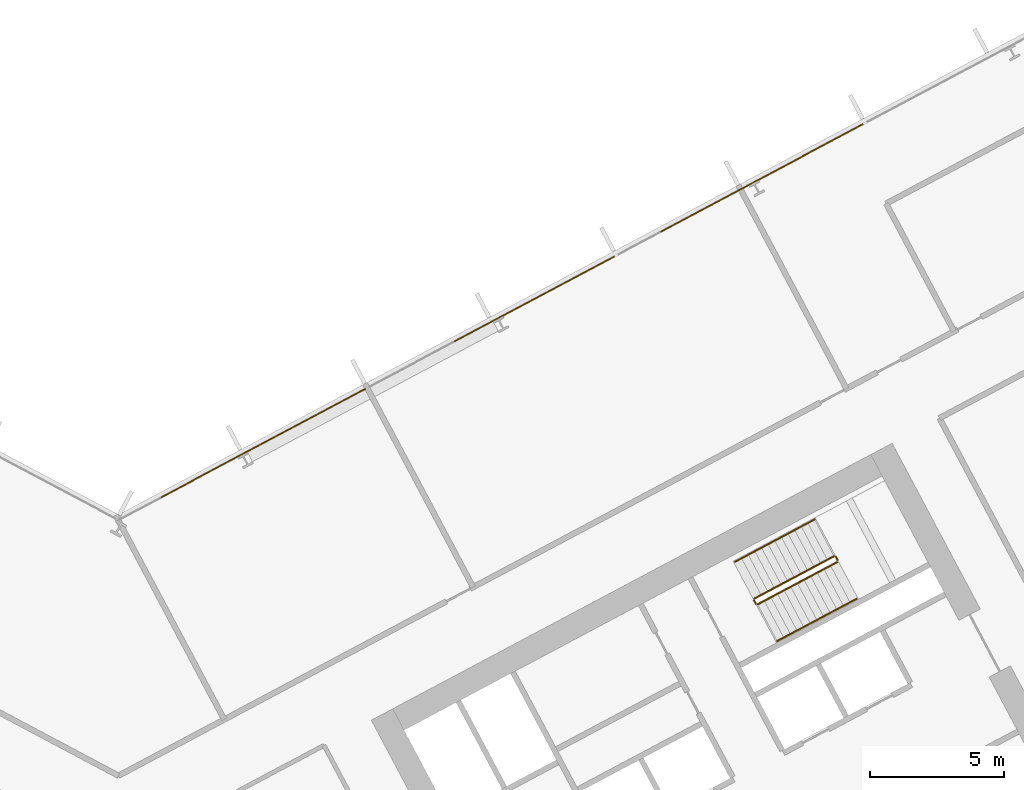
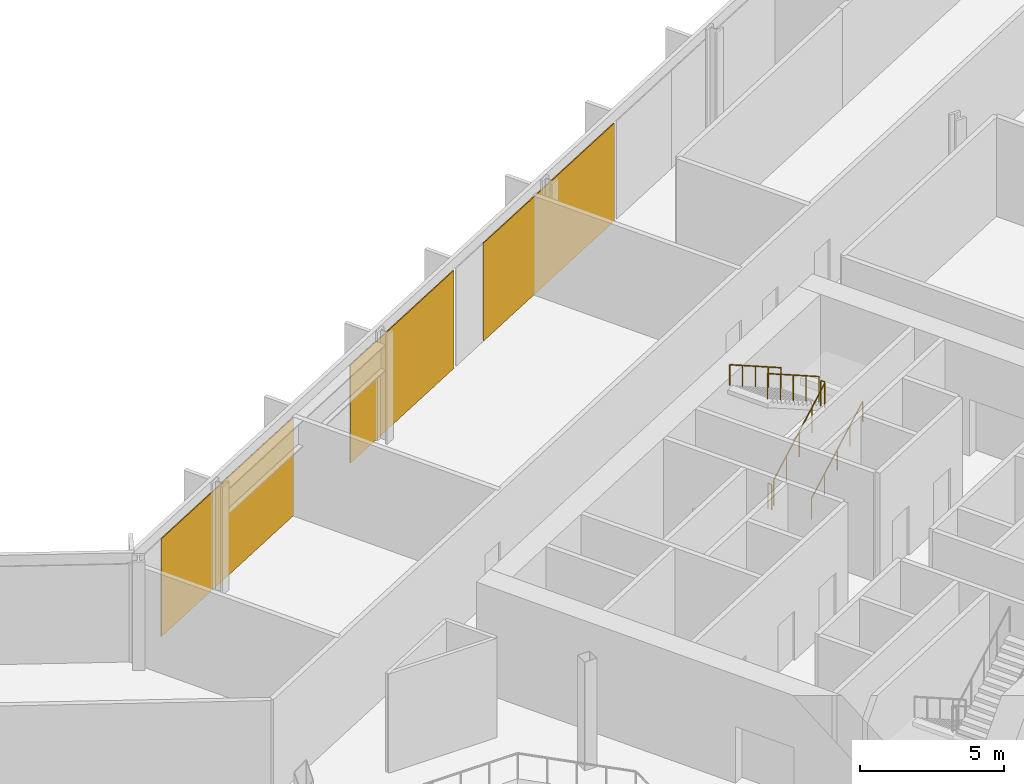
# One storey, part 29 of 31: 6 railings, 3 coverings, 1 element without a shape of its own.
"""IFC4 building model written with IfcOpenShell, lengths in metres."""

from ifc_helpers import new_model, si_unit, direction, frame, origin, origin_2d, place, context, subcontext, project, spatial, polyline, rectangle, outline, extrude, material, layer, layer_set, type_object, element, aggregate, save


model = new_model("IFC4")

# Units and contexts
model_context = context("Model", 3, precision=1e-05, world=origin(), true_north=direction((0.0, 1.0)))
body_context = subcontext(model_context, "Body", "Model", "MODEL_VIEW")
ifc_project = project(units=[si_unit("LENGTHUNIT", "METRE"), si_unit("AREAUNIT", "SQUARE_METRE"), si_unit("VOLUMEUNIT", "CUBIC_METRE"), si_unit("PLANEANGLEUNIT", "RADIAN"), si_unit("MASSUNIT", "GRAM", prefix="KILO")], contexts=[model_context])

# Site, building, storey
site_placement = place(None, origin())
site = spatial("IfcSite", under=ifc_project, at=site_placement, CompositionType="ELEMENT")
building_placement = place(site_placement, origin())
building = spatial("IfcBuilding", under=site, at=building_placement, Name="Cormorant Relay Tower", CompositionType="ELEMENT")
storey_placement = place(building_placement, frame((0.0, 0.0, 93.800048828125)))
storey = spatial("IfcBuildingStorey", under=building, at=storey_placement, Name="L18", CompositionType="ELEMENT", Elevation=93.800048828125)

# Curtain wall, coverings
ifc_material_1 = material(Name="Aluminium 6063-T6 anodised bronze", Category="aluminium")
ifc_layer_1 = layer(ifc_material_1, 0.199951171875)
ifc_layer_set_1 = layer_set([ifc_layer_1], Name="CW1 unitised bronze curtain wall with vertical fins")
curtain_wall_type = type_object("IfcCurtainWallType", Name="CW1 unitised bronze curtain wall with vertical fins", PredefinedType="NOTDEFINED", material=ifc_layer_set_1)
curtain_wall_placement = place(storey_placement, origin())
curtain_wall = element("IfcCurtainWall", 1, at=curtain_wall_placement, inside=storey, type_object=curtain_wall_type, Name="CW1 curtain wall 6", PredefinedType="NOTDEFINED")
ifc_material_2 = material(Name="Pale bronze anodised aluminium insulated panel", Category="aluminium")
ifc_layer_2 = layer(ifc_material_2, 0.0400390625)
ifc_layer_set_2 = layer_set([ifc_layer_2], Name="CW1 pale bronze insulated panel 40")
covering_type = type_object("IfcCoveringType", Name="CW1 pale bronze insulated panel 40", PredefinedType="CLADDING", material=ifc_layer_set_2)
covering_1_placement = place(storey_placement, frame((23.996337890625, 36.565673828125, 0.0), z_axis=(0.0, 0.0, 1.0), x_axis=(-0.882947592859, -0.469471562786, 0.0)))
covering_1 = element("IfcCovering", 2, at=covering_1_placement, type_object=covering_type, Name="CW1 panel S05", PredefinedType="CLADDING", context=body_context, shape_type="SweptSolid", body=[
    extrude(rectangle(XDim=8.565185546875, YDim=0.0400390625, at=origin_2d()), origin(), (0.0, 0.0, 1.0), 4.14990234375),
])
covering_2_placement = place(storey_placement, frame((15.506591796875, 32.051513671875, 0.0), z_axis=(0.0, 0.0, 1.0), x_axis=(-0.882947592859, -0.469471562786, 0.0)))
covering_2 = element("IfcCovering", 3, at=covering_2_placement, type_object=covering_type, Name="CW1 panel S07", PredefinedType="CLADDING", context=body_context, shape_type="SweptSolid", body=[
    extrude(rectangle(XDim=6.765380859375, YDim=0.0400390625, at=origin_2d()), origin(), (0.0, 0.0, 1.0), 4.14990234375),
])
covering_3_placement = place(storey_placement, frame((5.394287109375, 26.6748046875, 0.0), z_axis=(0.0, 0.0, 1.0), x_axis=(-0.882947592859, -0.469471562786, 0.0)))
covering_3 = element("IfcCovering", 4, at=covering_3_placement, type_object=covering_type, Name="CW1 panel S09", PredefinedType="CLADDING", context=body_context, shape_type="SweptSolid", body=[
    extrude(rectangle(XDim=8.640380859375, YDim=0.0400390625, at=origin_2d()), origin(), (0.0, 0.0, 1.0), 4.14990234375),
])
aggregate(curtain_wall, [covering_1, covering_2, covering_3])

# Railings
ifc_material_3 = material(Name="Steel ASTM A572 Grade 50 (Fy 345 MPa)", Category="steel")
railing_type_1 = type_object("IfcRailingType", Name="Stair guard 1100", PredefinedType="GUARDRAIL", material=ifc_material_3)
railing_1_placement = place(storey_placement, frame((23.8408203125, 20.6611328125, 0.1767578125)))
element("IfcRailing", 5, at=railing_1_placement, inside=storey, type_object=railing_type_1, Name="L18 B2 stair guard 1", PredefinedType="GUARDRAIL", context=body_context, shape_type="SweptSolid", body=[
    extrude(outline(polyline([(0.022216796875, 0.00927734375), (0.00927734375, 0.022216796875), (-0.00927734375, 0.022216796875), (-0.022216796875, 0.00927734375), (-0.022216796875, -0.00927734375), (-0.00927734375, -0.022216796875), (0.00927734375, -0.022216796875), (0.022216796875, -0.00927734375), (0.022216796875, 0.00927734375)])), frame((0.0, 0.0, 1.076171875), z_axis=(0.746416176936, 0.396856066424, 0.534198608526), x_axis=(-0.46945269911, 0.882957622595, 0.0)), (0.0, 0.0, 1.0), 3.974609375),
    extrude(outline(polyline([(0.019287109375, 0.008056640625), (0.008056640625, 0.019287109375), (-0.008056640625, 0.019287109375), (-0.019287109375, 0.008056640625), (-0.019287109375, -0.008056640625), (-0.008056640625, -0.019287109375), (0.008056640625, -0.019287109375), (0.019287109375, -0.008056640625), (0.019287109375, 0.008056640625)])), origin(), (0.0, 0.0, 1.0), 1.052001953125),
    extrude(outline(polyline([(0.019287109375, 0.008056640625), (0.008056640625, 0.019287109375), (-0.008056640625, 0.019287109375), (-0.019287109375, 0.008056640625), (-0.019287109375, -0.008056640625), (-0.008056640625, -0.019287109375), (0.008056640625, -0.019287109375), (0.019287109375, -0.008056640625), (0.019287109375, 0.008056640625)])), frame((0.74169921875, 0.394287109375, 0.53076171875)), (0.0, 0.0, 1.0), 1.052001953125),
    extrude(outline(polyline([(0.019287109375, 0.008056640625), (0.008056640625, 0.019287109375), (-0.008056640625, 0.019287109375), (-0.019287109375, 0.008056640625), (-0.019287109375, -0.008056640625), (-0.008056640625, -0.019287109375), (0.008056640625, -0.019287109375), (0.019287109375, -0.008056640625), (0.019287109375, 0.008056640625)])), frame((1.4833984375, 0.78857421875, 1.0615234375)), (0.0, 0.0, 1.0), 1.052001953125),
    extrude(outline(polyline([(0.019287109375, 0.008056640625), (0.008056640625, 0.019287109375), (-0.008056640625, 0.019287109375), (-0.019287109375, 0.008056640625), (-0.019287109375, -0.008056640625), (-0.008056640625, -0.019287109375), (0.008056640625, -0.019287109375), (0.019287109375, -0.008056640625), (0.019287109375, 0.008056640625)])), frame((2.22509765625, 1.18310546875, 1.592529296875)), (0.0, 0.0, 1.0), 1.052001953125),
    extrude(outline(polyline([(0.019287109375, 0.008056640625), (0.008056640625, 0.019287109375), (-0.008056640625, 0.019287109375), (-0.019287109375, 0.008056640625), (-0.019287109375, -0.008056640625), (-0.008056640625, -0.019287109375), (0.008056640625, -0.019287109375), (0.019287109375, -0.008056640625), (0.019287109375, 0.008056640625)])), frame((2.966796875, 1.577392578125, 2.123291015625)), (0.0, 0.0, 1.0), 1.052001953125),
])
railing_2_placement = place(storey_placement, frame((26.828125, 22.30615234375, 2.300048828125)))
element("IfcRailing", 6, at=railing_2_placement, inside=storey, type_object=railing_type_1, Name="L18 B2 stair guard 2", PredefinedType="GUARDRAIL", context=body_context, shape_type="SweptSolid", body=[
    extrude(outline(polyline([(0.022216796875, 0.00927734375), (0.00927734375, 0.022216796875), (-0.00927734375, 0.022216796875), (-0.022216796875, 0.00927734375), (-0.022216796875, -0.00927734375), (-0.00927734375, -0.022216796875), (0.00927734375, -0.022216796875), (0.022216796875, -0.00927734375), (0.022216796875, 0.00927734375)])), frame((0.0, 0.0, 1.076171875), z_axis=(-0.469234640946, 0.883073525669, 0.0), x_axis=(-0.883073525669, -0.469234640946, 0.0)), (0.0, 0.0, 1.0), 0.14990234375),
    extrude(outline(polyline([(0.019287109375, 0.008056640625), (0.008056640625, 0.019287109375), (-0.008056640625, 0.019287109375), (-0.019287109375, 0.008056640625), (-0.019287109375, -0.008056640625), (-0.008056640625, -0.019287109375), (0.008056640625, -0.019287109375), (0.019287109375, -0.008056640625), (0.019287109375, 0.008056640625)])), origin(), (0.0, 0.0, 1.0), 1.052001953125),
    extrude(outline(polyline([(0.019287109375, 0.008056640625), (0.008056640625, 0.019287109375), (-0.008056640625, 0.019287109375), (-0.019287109375, 0.008056640625), (-0.019287109375, -0.008056640625), (-0.008056640625, -0.019287109375), (0.008056640625, -0.019287109375), (0.019287109375, -0.008056640625), (0.019287109375, 0.008056640625)])), frame((-0.0703125, 0.13232421875, 0.0)), (0.0, 0.0, 1.0), 1.052001953125),
])
railing_3_placement = place(storey_placement, frame((26.690185546875, 22.459228515625, 2.476806640625)))
element("IfcRailing", 7, at=railing_3_placement, inside=storey, type_object=railing_type_1, Name="L18 B2 stair guard 3", PredefinedType="GUARDRAIL", context=body_context, shape_type="SweptSolid", body=[
    extrude(outline(polyline([(0.022216796875, 0.00927734375), (0.00927734375, 0.022216796875), (-0.00927734375, 0.022216796875), (-0.022216796875, 0.00927734375), (-0.022216796875, -0.00927734375), (-0.00927734375, -0.022216796875), (0.00927734375, -0.022216796875), (0.022216796875, -0.00927734375), (0.022216796875, 0.00927734375)])), frame((0.0, 0.0, 1.076171875), z_axis=(-0.746440668329, -0.396869088057, 0.534154711306), x_axis=(0.46945269911, -0.882957622595, 0.0)), (0.0, 0.0, 1.0), 3.974609375),
    extrude(outline(polyline([(0.019287109375, 0.008056640625), (0.008056640625, 0.019287109375), (-0.008056640625, 0.019287109375), (-0.019287109375, 0.008056640625), (-0.019287109375, -0.008056640625), (-0.008056640625, -0.019287109375), (0.008056640625, -0.019287109375), (0.019287109375, -0.008056640625), (0.019287109375, 0.008056640625)])), origin(), (0.0, 0.0, 1.0), 1.052001953125),
    extrude(outline(polyline([(0.019287109375, 0.008056640625), (0.008056640625, 0.019287109375), (-0.008056640625, 0.019287109375), (-0.019287109375, 0.008056640625), (-0.019287109375, -0.008056640625), (-0.008056640625, -0.019287109375), (0.008056640625, -0.019287109375), (0.019287109375, -0.008056640625), (0.019287109375, 0.008056640625)])), frame((-0.74169921875, -0.394287109375, 0.53076171875)), (0.0, 0.0, 1.0), 1.052001953125),
    extrude(outline(polyline([(0.019287109375, 0.008056640625), (0.008056640625, 0.019287109375), (-0.008056640625, 0.019287109375), (-0.019287109375, 0.008056640625), (-0.019287109375, -0.008056640625), (-0.008056640625, -0.019287109375), (0.008056640625, -0.019287109375), (0.019287109375, -0.008056640625), (0.019287109375, 0.008056640625)])), frame((-1.4833984375, -0.78857421875, 1.0615234375)), (0.0, 0.0, 1.0), 1.052001953125),
    extrude(outline(polyline([(0.019287109375, 0.008056640625), (0.008056640625, 0.019287109375), (-0.008056640625, 0.019287109375), (-0.019287109375, 0.008056640625), (-0.019287109375, -0.008056640625), (-0.008056640625, -0.019287109375), (0.008056640625, -0.019287109375), (0.019287109375, -0.008056640625), (0.019287109375, 0.008056640625)])), frame((-2.22509765625, -1.18310546875, 1.59228515625)), (0.0, 0.0, 1.0), 1.052001953125),
    extrude(outline(polyline([(0.019287109375, 0.008056640625), (0.008056640625, 0.019287109375), (-0.008056640625, 0.019287109375), (-0.019287109375, 0.008056640625), (-0.019287109375, -0.008056640625), (-0.008056640625, -0.019287109375), (0.008056640625, -0.019287109375), (0.019287109375, -0.008056640625), (0.019287109375, 0.008056640625)])), frame((-2.966796875, -1.577392578125, 2.123046875)), (0.0, 0.0, 1.0), 1.052001953125),
])
railing_4_placement = place(storey_placement, frame((23.773193359375, 20.681640625, 0.0)))
element("IfcRailing", 8, at=railing_4_placement, inside=storey, type_object=railing_type_1, Name="L18 B2 stair guard 4", PredefinedType="GUARDRAIL", context=body_context, shape_type="SweptSolid", body=[
    extrude(outline(polyline([(0.022216796875, 0.00927734375), (0.00927734375, 0.022216796875), (-0.00927734375, 0.022216796875), (-0.022216796875, 0.00927734375), (-0.022216796875, -0.00927734375), (-0.00927734375, -0.022216796875), (0.00927734375, -0.022216796875), (0.022216796875, -0.00927734375), (0.022216796875, 0.00927734375)])), frame((0.0, 0.0, 1.076171875), z_axis=(-0.46856034887, 0.8834314911, 0.0), x_axis=(-0.8834314911, -0.46856034887, 0.0)), (0.0, 0.0, 1.0), 0.150146484375),
    extrude(outline(polyline([(0.019287109375, 0.008056640625), (0.008056640625, 0.019287109375), (-0.008056640625, 0.019287109375), (-0.019287109375, 0.008056640625), (-0.019287109375, -0.008056640625), (-0.008056640625, -0.019287109375), (0.008056640625, -0.019287109375), (0.019287109375, -0.008056640625), (0.019287109375, 0.008056640625)])), origin(), (0.0, 0.0, 1.0), 1.052001953125),
    extrude(outline(polyline([(0.019287109375, 0.008056640625), (0.008056640625, 0.019287109375), (-0.008056640625, 0.019287109375), (-0.019287109375, 0.008056640625), (-0.019287109375, -0.008056640625), (-0.008056640625, -0.019287109375), (0.008056640625, -0.019287109375), (0.019287109375, -0.008056640625), (0.019287109375, 0.008056640625)])), frame((-0.0703125, 0.132568359375, 0.0)), (0.0, 0.0, 1.0), 1.052001953125),
])
ifc_material_4 = material(Name="Steel ASTM A572 Grade 50 (Fy 345 MPa)", Category="steel")
railing_type_2 = type_object("IfcRailingType", Name="Stair handrail 900", PredefinedType="HANDRAIL", material=ifc_material_4)
railing_5_placement = place(storey_placement, frame((24.568603515625, 19.29248046875, 0.1767578125)))
element("IfcRailing", 9, at=railing_5_placement, inside=storey, type_object=railing_type_2, Name="L18 B2 stair handrail 1", PredefinedType="HANDRAIL", context=body_context, shape_type="SweptSolid", body=[
    extrude(outline(polyline([(0.022216796875, 0.00927734375), (0.00927734375, 0.022216796875), (-0.00927734375, 0.022216796875), (-0.022216796875, 0.00927734375), (-0.022216796875, -0.00927734375), (-0.00927734375, -0.022216796875), (0.00927734375, -0.022216796875), (0.022216796875, -0.00927734375), (0.022216796875, 0.00927734375)])), frame((0.0, 0.0, 0.8759765625), z_axis=(0.746388972956, 0.396874261729, 0.534223100798), x_axis=(-0.469482818608, 0.88294160794, 0.0)), (0.0, 0.0, 1.0), 3.974609375),
    extrude(outline(polyline([(0.019287109375, 0.008056640625), (0.008056640625, 0.019287109375), (-0.008056640625, 0.019287109375), (-0.019287109375, 0.008056640625), (-0.019287109375, -0.008056640625), (-0.008056640625, -0.019287109375), (0.008056640625, -0.019287109375), (0.019287109375, -0.008056640625), (0.019287109375, 0.008056640625)])), origin(), (0.0, 0.0, 1.0), 0.851806640625),
    extrude(outline(polyline([(0.019287109375, 0.008056640625), (0.008056640625, 0.019287109375), (-0.008056640625, 0.019287109375), (-0.019287109375, 0.008056640625), (-0.019287109375, -0.008056640625), (-0.008056640625, -0.019287109375), (0.008056640625, -0.019287109375), (0.019287109375, -0.008056640625), (0.019287109375, 0.008056640625)])), frame((0.74169921875, 0.394287109375, 0.53076171875)), (0.0, 0.0, 1.0), 0.851806640625),
    extrude(outline(polyline([(0.019287109375, 0.008056640625), (0.008056640625, 0.019287109375), (-0.008056640625, 0.019287109375), (-0.019287109375, 0.008056640625), (-0.019287109375, -0.008056640625), (-0.008056640625, -0.019287109375), (0.008056640625, -0.019287109375), (0.019287109375, -0.008056640625), (0.019287109375, 0.008056640625)])), frame((1.4833984375, 0.78857421875, 1.0615234375)), (0.0, 0.0, 1.0), 0.851806640625),
    extrude(outline(polyline([(0.019287109375, 0.008056640625), (0.008056640625, 0.019287109375), (-0.008056640625, 0.019287109375), (-0.019287109375, 0.008056640625), (-0.019287109375, -0.008056640625), (-0.008056640625, -0.019287109375), (0.008056640625, -0.019287109375), (0.019287109375, -0.008056640625), (0.019287109375, 0.008056640625)])), frame((2.224853515625, 1.18310546875, 1.592529296875)), (0.0, 0.0, 1.0), 0.851806640625),
    extrude(outline(polyline([(0.019287109375, 0.008056640625), (0.008056640625, 0.019287109375), (-0.008056640625, 0.019287109375), (-0.019287109375, 0.008056640625), (-0.019287109375, -0.008056640625), (-0.008056640625, -0.019287109375), (0.008056640625, -0.019287109375), (0.019287109375, -0.008056640625), (0.019287109375, 0.008056640625)])), frame((2.966552734375, 1.577392578125, 2.123291015625)), (0.0, 0.0, 1.0), 0.851806640625),
])
railing_6_placement = place(storey_placement, frame((25.96240234375, 23.827880859375, 2.476806640625)))
element("IfcRailing", 10, at=railing_6_placement, inside=storey, type_object=railing_type_2, Name="L18 B2 stair handrail 2", PredefinedType="HANDRAIL", context=body_context, shape_type="SweptSolid", body=[
    extrude(outline(polyline([(0.022216796875, 0.00927734375), (0.00927734375, 0.022216796875), (-0.00927734375, 0.022216796875), (-0.022216796875, 0.00927734375), (-0.022216796875, -0.00927734375), (-0.00927734375, -0.022216796875), (0.00927734375, -0.022216796875), (0.022216796875, -0.00927734375), (0.022216796875, 0.00927734375)])), frame((0.0, 0.0, 0.8759765625), z_axis=(-0.74639526736, -0.39693903528, 0.534166179324), x_axis=(0.469539463624, -0.882911485994, 0.0)), (0.0, 0.0, 1.0), 3.974609375),
    extrude(outline(polyline([(0.019287109375, 0.008056640625), (0.008056640625, 0.019287109375), (-0.008056640625, 0.019287109375), (-0.019287109375, 0.008056640625), (-0.019287109375, -0.008056640625), (-0.008056640625, -0.019287109375), (0.008056640625, -0.019287109375), (0.019287109375, -0.008056640625), (0.019287109375, 0.008056640625)])), origin(), (0.0, 0.0, 1.0), 0.851806640625),
    extrude(outline(polyline([(0.019287109375, 0.008056640625), (0.008056640625, 0.019287109375), (-0.008056640625, 0.019287109375), (-0.019287109375, 0.008056640625), (-0.019287109375, -0.008056640625), (-0.008056640625, -0.019287109375), (0.008056640625, -0.019287109375), (0.019287109375, -0.008056640625), (0.019287109375, 0.008056640625)])), frame((-0.74169921875, -0.39453125, 0.53076171875)), (0.0, 0.0, 1.0), 0.851806640625),
    extrude(outline(polyline([(0.019287109375, 0.008056640625), (0.008056640625, 0.019287109375), (-0.008056640625, 0.019287109375), (-0.019287109375, 0.008056640625), (-0.019287109375, -0.008056640625), (-0.008056640625, -0.019287109375), (0.008056640625, -0.019287109375), (0.019287109375, -0.008056640625), (0.019287109375, 0.008056640625)])), frame((-1.4833984375, -0.788818359375, 1.0615234375)), (0.0, 0.0, 1.0), 0.851806640625),
    extrude(outline(polyline([(0.019287109375, 0.008056640625), (0.008056640625, 0.019287109375), (-0.008056640625, 0.019287109375), (-0.019287109375, 0.008056640625), (-0.019287109375, -0.008056640625), (-0.008056640625, -0.019287109375), (0.008056640625, -0.019287109375), (0.019287109375, -0.008056640625), (0.019287109375, 0.008056640625)])), frame((-2.224853515625, -1.18310546875, 1.59228515625)), (0.0, 0.0, 1.0), 0.851806640625),
    extrude(outline(polyline([(0.019287109375, 0.008056640625), (0.008056640625, 0.019287109375), (-0.008056640625, 0.019287109375), (-0.019287109375, 0.008056640625), (-0.019287109375, -0.008056640625), (-0.008056640625, -0.019287109375), (0.008056640625, -0.019287109375), (0.019287109375, -0.008056640625), (0.019287109375, 0.008056640625)])), frame((-2.966552734375, -1.57763671875, 2.123046875)), (0.0, 0.0, 1.0), 0.851806640625),
])

save(model, "model.ifc")
